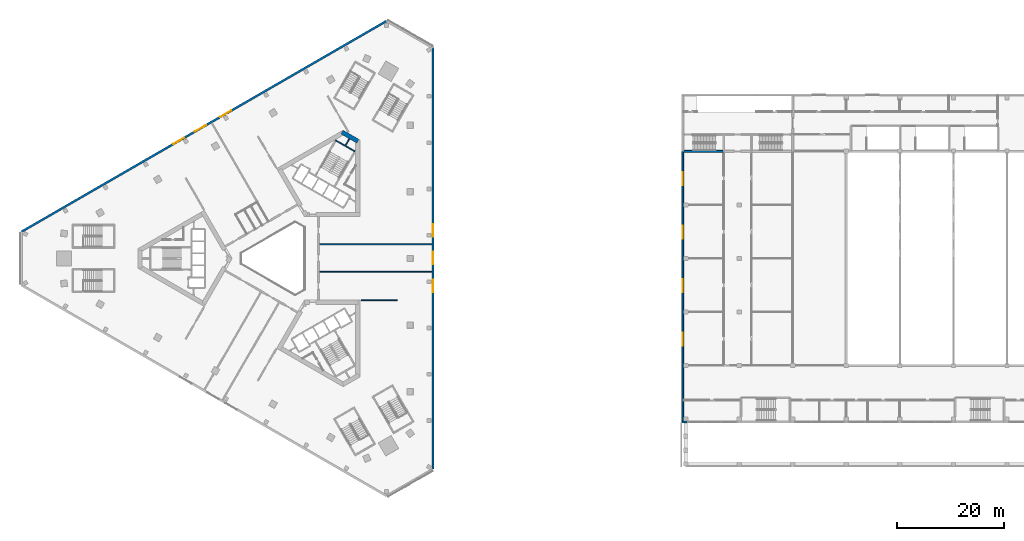
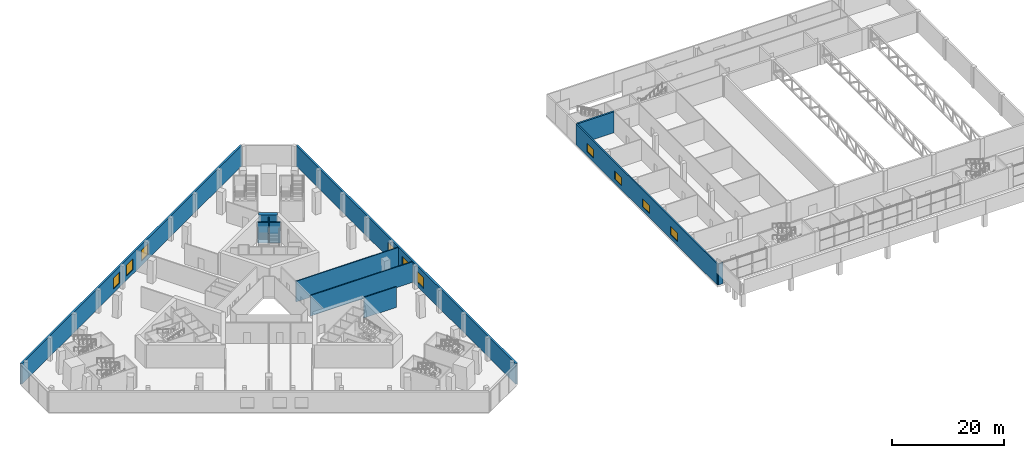
# One storey, part 14 of 36: 11 walls, 10 windows, 10 openings.
"""IFC4 building model written with IfcOpenShell, lengths in metres."""

from ifc_helpers import new_model, si_unit, direction, frame, frame_2d, origin, place, context, subcontext, project, spatial, rectangle, extrude, material, layer, layer_set, type_object, element, fill, save


model = new_model("IFC4")

# Units and contexts
model_context = context("Model", 3, precision=1e-05, world=origin(), true_north=direction((0.0, 1.0)))
body_context = subcontext(model_context, "Body", "Model", "MODEL_VIEW")
ifc_project = project(units=[si_unit("LENGTHUNIT", "METRE"), si_unit("AREAUNIT", "SQUARE_METRE"), si_unit("VOLUMEUNIT", "CUBIC_METRE"), si_unit("PLANEANGLEUNIT", "RADIAN"), si_unit("MASSUNIT", "GRAM", prefix="KILO")], contexts=[model_context])

# Site, building, storey
site_placement = place(None, origin())
site = spatial("IfcSite", under=ifc_project, at=site_placement, CompositionType="ELEMENT")
building_placement = place(site_placement, origin())
building = spatial("IfcBuilding", under=site, at=building_placement, Name="Jabali Bay Hotel Tower and Convention Centre", CompositionType="ELEMENT")
storey_placement = place(building_placement, frame((0.0, 0.0, 20.39990234375)))
storey = spatial("IfcBuildingStorey", under=building, at=storey_placement, Name="L03", CompositionType="ELEMENT", Elevation=20.39990234375)

# Wall
ifc_material_1 = material(Name="Concrete C60", Category="concrete")
ifc_layer_1 = layer(ifc_material_1, 0.35009765625)
ifc_layer_set_1 = layer_set([ifc_layer_1], Name="Concrete C60")
wall_type_1 = type_object("IfcWallType", Name="CC Core Wall 350", PredefinedType="SHEAR", material=ifc_layer_set_1)
wall_1_placement = place(storey_placement, frame((150.300048828125, 100.0, 0.0), z_axis=(0.0, 0.0, 1.0), x_axis=(1.0, 0.0, 0.0)))
element("IfcWall", 1, at=wall_1_placement, inside=storey, type_object=wall_type_1, Name="CC west core wall", PredefinedType="SHEAR", context=body_context, shape_type="SweptSolid", body=[
    extrude(rectangle(XDim=7.52490234375, YDim=0.35009765625, at=frame_2d((3.762451171875, 0.0))), origin(), (0.0, 0.0, 1.0), 4.590087890625),
])

# Wall, openings, windows
ifc_material_2 = material(Name="Concrete C40", Category="concrete")
ifc_layer_2 = layer(ifc_material_2, 0.300048828125)
ifc_layer_set_2 = layer_set([ifc_layer_2], Name="Concrete C40")
wall_type_2 = type_object("IfcWallType", Name="CC External Wall 300", PredefinedType="SOLIDWALL", material=ifc_layer_set_2)
wall_2_placement = place(storey_placement, frame((150.14990234375, 49.449951171875, 0.0), z_axis=(0.0, 0.0, 1.0), x_axis=(0.0, 1.0, 0.0)))
wall_2 = element("IfcWall", 2, at=wall_2_placement, inside=storey, type_object=wall_type_2, Name="CC wall 307", PredefinedType="SOLIDWALL", context=body_context, shape_type="SweptSolid", body=[
    extrude(rectangle(XDim=50.550048828125, YDim=0.300048828125, at=frame_2d((25.27490234375, 0.0))), origin(), (0.0, 0.0, 1.0), 4.590087890625),
])
opening_1_placement = place(wall_2_placement, frame((14.25, 0.0, 0.89990234375)))
opening_1 = element("IfcOpeningElement", 3, at=opening_1_placement, cuts=wall_2, Name="Opening CC-W019", PredefinedType="OPENING", context=body_context, shape_type="SweptSolid", body=[
    extrude(rectangle(XDim=2.39990234375, YDim=1.800048828125, at=frame_2d((1.199951171875, 0.89990234375))), frame((0.0, 0.16064453125, 0.0), z_axis=(0.0, -1.0, 0.0), x_axis=(1.0, 0.0, 0.0)), (0.0, 0.0, 1.0), 0.321044921875),
])
opening_2_placement = place(wall_2_placement, frame((24.25, 0.0, 0.89990234375)))
opening_2 = element("IfcOpeningElement", 4, at=opening_2_placement, cuts=wall_2, Name="Opening CC-W020", PredefinedType="OPENING", context=body_context, shape_type="SweptSolid", body=[
    extrude(rectangle(XDim=2.39990234375, YDim=1.800048828125, at=frame_2d((1.199951171875, 0.89990234375))), frame((0.0, 0.16064453125, 0.0), z_axis=(0.0, -1.0, 0.0), x_axis=(1.0, 0.0, 0.0)), (0.0, 0.0, 1.0), 0.321044921875),
])
opening_3_placement = place(wall_2_placement, frame((34.25, 0.0, 0.89990234375)))
opening_3 = element("IfcOpeningElement", 5, at=opening_3_placement, cuts=wall_2, Name="Opening CC-W021", PredefinedType="OPENING", context=body_context, shape_type="SweptSolid", body=[
    extrude(rectangle(XDim=2.39990234375, YDim=1.800048828125, at=frame_2d((1.199951171875, 0.89990234375))), frame((0.0, 0.16064453125, 0.0), z_axis=(0.0, -1.0, 0.0), x_axis=(1.0, 0.0, 0.0)), (0.0, 0.0, 1.0), 0.321044921875),
])
opening_4_placement = place(wall_2_placement, frame((44.25, 0.0, 0.89990234375)))
opening_4 = element("IfcOpeningElement", 6, at=opening_4_placement, cuts=wall_2, Name="Opening CC-W022", PredefinedType="OPENING", context=body_context, shape_type="SweptSolid", body=[
    extrude(rectangle(XDim=2.39990234375, YDim=1.800048828125, at=frame_2d((1.199951171875, 0.89990234375))), frame((0.0, 0.16064453125, 0.0), z_axis=(0.0, -1.0, 0.0), x_axis=(1.0, 0.0, 0.0)), (0.0, 0.0, 1.0), 0.321044921875),
])
ifc_material_3 = material(Name="Aluminium 6063-T5 and glass", Category="aluminium")
window_type_1 = type_object("IfcWindowType", Name="CC Window 2400x1800", PartitioningType="DOUBLE_PANEL_VERTICAL", PredefinedType="WINDOW", material=ifc_material_3)
window_1_placement = place(opening_1_placement, origin())
window_1 = element("IfcWindow", 7, at=window_1_placement, inside=storey, type_object=window_type_1, Name="CC window CC-W019", OverallHeight=1.800048828125, OverallWidth=2.39990234375, PartitioningType="DOUBLE_PANEL_VERTICAL", PredefinedType="WINDOW", context=body_context, shape_type="SweptSolid", body=[
    extrude(rectangle(XDim=2.39990234375, YDim=1.800048828125, at=frame_2d((1.199951171875, 0.89990234375))), frame((0.0, 0.030029296875, 0.0), z_axis=(0.0, -1.0, 0.0), x_axis=(1.0, 0.0, 0.0)), (0.0, 0.0, 1.0), 0.06005859375),
])
fill(opening_1, window_1)
window_2_placement = place(opening_2_placement, origin())
window_2 = element("IfcWindow", 8, at=window_2_placement, inside=storey, type_object=window_type_1, Name="CC window CC-W020", OverallHeight=1.800048828125, OverallWidth=2.39990234375, PartitioningType="DOUBLE_PANEL_VERTICAL", PredefinedType="WINDOW", context=body_context, shape_type="SweptSolid", body=[
    extrude(rectangle(XDim=2.39990234375, YDim=1.800048828125, at=frame_2d((1.199951171875, 0.89990234375))), frame((0.0, 0.030029296875, 0.0), z_axis=(0.0, -1.0, 0.0), x_axis=(1.0, 0.0, 0.0)), (0.0, 0.0, 1.0), 0.06005859375),
])
fill(opening_2, window_2)
window_3_placement = place(opening_3_placement, origin())
window_3 = element("IfcWindow", 9, at=window_3_placement, inside=storey, type_object=window_type_1, Name="CC window CC-W021", OverallHeight=1.800048828125, OverallWidth=2.39990234375, PartitioningType="DOUBLE_PANEL_VERTICAL", PredefinedType="WINDOW", context=body_context, shape_type="SweptSolid", body=[
    extrude(rectangle(XDim=2.39990234375, YDim=1.800048828125, at=frame_2d((1.199951171875, 0.89990234375))), frame((0.0, 0.030029296875, 0.0), z_axis=(0.0, -1.0, 0.0), x_axis=(1.0, 0.0, 0.0)), (0.0, 0.0, 1.0), 0.06005859375),
])
fill(opening_3, window_3)
window_4_placement = place(opening_4_placement, origin())
window_4 = element("IfcWindow", 10, at=window_4_placement, inside=storey, type_object=window_type_1, Name="CC window CC-W022", OverallHeight=1.800048828125, OverallWidth=2.39990234375, PartitioningType="DOUBLE_PANEL_VERTICAL", PredefinedType="WINDOW", context=body_context, shape_type="SweptSolid", body=[
    extrude(rectangle(XDim=2.39990234375, YDim=1.800048828125, at=frame_2d((1.199951171875, 0.89990234375))), frame((0.0, 0.030029296875, 0.0), z_axis=(0.0, -1.0, 0.0), x_axis=(1.0, 0.0, 0.0)), (0.0, 0.0, 1.0), 0.06005859375),
])
fill(opening_4, window_4)

# Walls
wall_3_placement = place(storey_placement, frame((150.14990234375, 49.449951171875, 0.0), z_axis=(0.0, 0.0, 1.0), x_axis=(1.0, 0.0, 0.0)))
element("IfcWall", 11, at=wall_3_placement, inside=storey, type_object=wall_type_2, Name="CC wall 310", PredefinedType="SOLIDWALL", context=body_context, shape_type="SweptSolid", body=[
    extrude(rectangle(XDim=0.9501953125, YDim=0.300048828125, at=frame_2d((0.47509765625, 0.0))), origin(), (0.0, 0.0, 1.0), 4.590087890625),
])
ifc_layer_3 = layer(ifc_material_2, 0.199951171875)
ifc_layer_set_3 = layer_set([ifc_layer_3], Name="Concrete C40")
wall_type_3 = type_object("IfcWallType", Name="Core partition wall 200", PredefinedType="PARTITIONING", material=ifc_layer_set_3)
wall_4_placement = place(storey_placement, frame((87.090087890625, 100.9404296875, 0.0), z_axis=(0.0, 0.0, 1.0), x_axis=(0.499956811548, 0.866050337213, 0.0)))
element("IfcWall", 12, at=wall_4_placement, inside=storey, type_object=wall_type_3, Name="Core wall 1.5 L03", PredefinedType="PARTITIONING", context=body_context, shape_type="SweptSolid", body=[
    extrude(rectangle(XDim=1.623291015625, YDim=0.199951171875, at=frame_2d((0.8115234375, 0.0))), origin(), (0.0, 0.0, 1.0), 4.5),
])
ifc_layer_4 = layer(ifc_material_2, 0.199951171875)
ifc_layer_set_4 = layer_set([ifc_layer_4], Name="Concrete C40")
wall_type_4 = type_object("IfcWallType", Name="Core stair wall 200", PredefinedType="SOLIDWALL", material=ifc_layer_set_4)
wall_5_placement = place(storey_placement, frame((88.93701171875, 99.989501953125, 0.0), z_axis=(0.0, 0.0, 1.0), x_axis=(-0.866004344652, 0.500036473714, 0.0)))
element("IfcWall", 13, at=wall_5_placement, inside=storey, type_object=wall_type_4, Name="Core wall 1.16 L03", PredefinedType="SOLIDWALL", context=body_context, shape_type="SweptSolid", body=[
    extrude(rectangle(XDim=4.150146484375, YDim=0.199951171875, at=frame_2d((2.0751953125, 0.0))), origin(), (0.0, 0.0, 1.0), 4.5),
])
ifc_layer_5 = layer(ifc_material_1, 0.800048828125)
ifc_layer_set_5 = layer_set([ifc_layer_5], Name="Concrete C60")
wall_type_5 = type_object("IfcWallType", Name="Core wall 800", PredefinedType="SHEAR", material=ifc_layer_set_5)
wall_6_placement = place(storey_placement, frame((89.47998046875, 101.896728515625, 0.0), z_axis=(0.0, 0.0, 1.0), x_axis=(-0.866034355626, 0.499984494636, 0.0)))
element("IfcWall", 14, at=wall_6_placement, inside=storey, type_object=wall_type_5, Name="Core wall 2.3 L03", PredefinedType="SHEAR", context=body_context, shape_type="SweptSolid", body=[
    extrude(rectangle(XDim=3.4140625, YDim=0.800048828125, at=frame_2d((1.70703125, 0.0))), origin(), (0.0, 0.0, 1.0), 5.0),
])
ifc_material_4 = material(Name="Plasterboard on steel stud", Category="steel")
ifc_layer_6 = layer(ifc_material_4, 0.199951171875)
ifc_layer_set_6 = layer_set([ifc_layer_6], Name="Plasterboard on steel stud")
wall_type_6 = type_object("IfcWallType", Name="Partition 200 party", PredefinedType="PARTITIONING", material=ifc_layer_set_6)
wall_7_placement = place(storey_placement, frame((103.301025390625, 77.505859375, 0.0), z_axis=(0.0, 0.0, 1.0), x_axis=(-1.0, 0.0, 0.0)))
element("IfcWall", 15, at=wall_7_placement, inside=storey, type_object=wall_type_6, Name="Partition P01 L03 001", PredefinedType="PARTITIONING", context=body_context, shape_type="SweptSolid", body=[
    extrude(rectangle(XDim=21.200927734375, YDim=0.199951171875, at=frame_2d((10.6005859375, 0.0))), origin(), (0.0, 0.0, 1.0), 4.5),
])
wall_8_placement = place(storey_placement, frame((90.0791015625, 72.205810546875, 0.0), z_axis=(0.0, 0.0, 1.0), x_axis=(1.0, 0.0, 0.0)))
element("IfcWall", 16, at=wall_8_placement, inside=storey, type_object=wall_type_6, Name="Partition P01 L03 002", PredefinedType="PARTITIONING", context=body_context, shape_type="SweptSolid", body=[
    extrude(rectangle(XDim=6.7646484375, YDim=0.199951171875, at=frame_2d((3.38232421875, 0.0))), origin(), (0.0, 0.0, 1.0), 4.5),
])
wall_9_placement = place(storey_placement, frame((103.301025390625, 82.650146484375, 0.0), z_axis=(0.0, 0.0, 1.0), x_axis=(-1.0, 0.0, 0.0)))
element("IfcWall", 17, at=wall_9_placement, inside=storey, type_object=wall_type_6, Name="Partition P01 L03 003", PredefinedType="PARTITIONING", context=body_context, shape_type="SweptSolid", body=[
    extrude(rectangle(XDim=21.200927734375, YDim=0.199951171875, at=frame_2d((10.6005859375, 0.0))), origin(), (0.0, 0.0, 1.0), 4.5),
])

# Wall, openings, windows
ifc_layer_7 = layer(ifc_material_2, 0.39990234375)
ifc_layer_set_7 = layer_set([ifc_layer_7], Name="Concrete C40")
wall_type_7 = type_object("IfcWallType", Name="Podium external wall 400", PredefinedType="SOLIDWALL", material=ifc_layer_set_7)
wall_10_placement = place(storey_placement, frame((103.5, 119.363525390625, 0.0), z_axis=(0.0, 0.0, 1.0), x_axis=(0.0, -1.0, 0.0)))
wall_10 = element("IfcWall", 18, at=wall_10_placement, inside=storey, type_object=wall_type_7, Name="External wall east face L03", PredefinedType="SOLIDWALL", context=body_context, shape_type="SweptSolid", body=[
    extrude(rectangle(XDim=78.72705078125, YDim=0.39990234375, at=frame_2d((39.363525390625, 0.0))), origin(), (0.0, 0.0, 1.0), 4.5),
])
opening_5_placement = place(wall_10_placement, frame((43.3076171875, 0.0, 0.89990234375)))
opening_5 = element("IfcOpeningElement", 19, at=opening_5_placement, cuts=wall_10, Name="Opening W3", PredefinedType="OPENING", context=body_context, shape_type="SweptSolid", body=[
    extrude(rectangle(XDim=2.39990234375, YDim=2.39990234375, at=frame_2d((1.199951171875, 1.199951171875))), frame((0.0, 0.21044921875, 0.0), z_axis=(0.0, -1.0, 0.0), x_axis=(1.0, 0.0, 0.0)), (0.0, 0.0, 1.0), 0.4208984375),
])
opening_6_placement = place(wall_10_placement, frame((38.08544921875, 0.0, 0.89990234375)))
opening_6 = element("IfcOpeningElement", 20, at=opening_6_placement, cuts=wall_10, Name="Opening W3", PredefinedType="OPENING", context=body_context, shape_type="SweptSolid", body=[
    extrude(rectangle(XDim=2.39990234375, YDim=2.39990234375, at=frame_2d((1.199951171875, 1.199951171875))), frame((0.0, 0.21044921875, 0.0), z_axis=(0.0, -1.0, 0.0), x_axis=(1.0, 0.0, 0.0)), (0.0, 0.0, 1.0), 0.4208984375),
])
opening_7_placement = place(wall_10_placement, frame((32.94140625, 0.0, 0.89990234375)))
opening_7 = element("IfcOpeningElement", 21, at=opening_7_placement, cuts=wall_10, Name="Opening W3", PredefinedType="OPENING", context=body_context, shape_type="SweptSolid", body=[
    extrude(rectangle(XDim=2.39990234375, YDim=2.39990234375, at=frame_2d((1.199951171875, 1.199951171875))), frame((0.0, 0.21044921875, 0.0), z_axis=(0.0, -1.0, 0.0), x_axis=(1.0, 0.0, 0.0)), (0.0, 0.0, 1.0), 0.4208984375),
])
ifc_material_5 = material(Name="Glass", Category="glass")
window_type_2 = type_object("IfcWindowType", Name="Podium window 2400 x 2400", PartitioningType="SINGLE_PANEL", PredefinedType="WINDOW", material=ifc_material_5)
window_5_placement = place(opening_5_placement, origin())
window_5 = element("IfcWindow", 22, at=window_5_placement, inside=storey, type_object=window_type_2, Name="Window", OverallHeight=2.39990234375, OverallWidth=2.39990234375, PartitioningType="SINGLE_PANEL", PredefinedType="WINDOW", context=body_context, shape_type="SweptSolid", body=[
    extrude(rectangle(XDim=2.39990234375, YDim=2.39990234375, at=frame_2d((1.199951171875, 1.199951171875))), frame((0.0, 0.030029296875, 0.0), z_axis=(0.0, -1.0, 0.0), x_axis=(1.0, 0.0, 0.0)), (0.0, 0.0, 1.0), 0.06005859375),
])
fill(opening_5, window_5)
window_6_placement = place(opening_6_placement, origin())
window_6 = element("IfcWindow", 23, at=window_6_placement, inside=storey, type_object=window_type_2, Name="Window", OverallHeight=2.39990234375, OverallWidth=2.39990234375, PartitioningType="SINGLE_PANEL", PredefinedType="WINDOW", context=body_context, shape_type="SweptSolid", body=[
    extrude(rectangle(XDim=2.39990234375, YDim=2.39990234375, at=frame_2d((1.199951171875, 1.199951171875))), frame((0.0, 0.030029296875, 0.0), z_axis=(0.0, -1.0, 0.0), x_axis=(1.0, 0.0, 0.0)), (0.0, 0.0, 1.0), 0.06005859375),
])
fill(opening_6, window_6)
window_7_placement = place(opening_7_placement, origin())
window_7 = element("IfcWindow", 24, at=window_7_placement, inside=storey, type_object=window_type_2, Name="Window", OverallHeight=2.39990234375, OverallWidth=2.39990234375, PartitioningType="SINGLE_PANEL", PredefinedType="WINDOW", context=body_context, shape_type="SweptSolid", body=[
    extrude(rectangle(XDim=2.39990234375, YDim=2.39990234375, at=frame_2d((1.199951171875, 1.199951171875))), frame((0.0, 0.030029296875, 0.0), z_axis=(0.0, -1.0, 0.0), x_axis=(1.0, 0.0, 0.0)), (0.0, 0.0, 1.0), 0.06005859375),
])
fill(opening_7, window_7)

wall_11_placement = place(storey_placement, frame((26.66015625, 85.0, 0.0), z_axis=(0.0, 0.0, 1.0), x_axis=(0.866025599265, 0.499999661418, 0.0)))
wall_11 = element("IfcWall", 25, at=wall_11_placement, inside=storey, type_object=wall_type_7, Name="External wall north-west face L03", PredefinedType="SOLIDWALL", context=body_context, shape_type="SweptSolid", body=[
    extrude(rectangle(XDim=78.72705078125, YDim=0.39990234375, at=frame_2d((39.363525390625, 0.0))), origin(), (0.0, 0.0, 1.0), 4.5),
])
opening_8_placement = place(wall_11_placement, frame((42.840087890625, 0.0, 0.89990234375)))
opening_8 = element("IfcOpeningElement", 26, at=opening_8_placement, cuts=wall_11, Name="Opening W3", PredefinedType="OPENING", context=body_context, shape_type="SweptSolid", body=[
    extrude(rectangle(XDim=2.39990234375, YDim=2.39990234375, at=frame_2d((1.199951171875, 1.199951171875))), frame((0.0, 0.21044921875, 0.0), z_axis=(0.0, -1.0, 0.0), x_axis=(1.0, 0.0, 0.0)), (0.0, 0.0, 1.0), 0.4208984375),
])
opening_9_placement = place(wall_11_placement, frame((37.384765625, 0.0, 0.89990234375)))
opening_9 = element("IfcOpeningElement", 27, at=opening_9_placement, cuts=wall_11, Name="Opening W3", PredefinedType="OPENING", context=body_context, shape_type="SweptSolid", body=[
    extrude(rectangle(XDim=2.39990234375, YDim=2.39990234375, at=frame_2d((1.199951171875, 1.199951171875))), frame((0.0, 0.21044921875, 0.0), z_axis=(0.0, -1.0, 0.0), x_axis=(1.0, 0.0, 0.0)), (0.0, 0.0, 1.0), 0.4208984375),
])
opening_10_placement = place(wall_11_placement, frame((32.707763671875, 0.0, 0.89990234375)))
opening_10 = element("IfcOpeningElement", 28, at=opening_10_placement, cuts=wall_11, Name="Opening W3", PredefinedType="OPENING", context=body_context, shape_type="SweptSolid", body=[
    extrude(rectangle(XDim=2.39990234375, YDim=2.39990234375, at=frame_2d((1.199951171875, 1.199951171875))), frame((0.0, 0.21044921875, 0.0), z_axis=(0.0, -1.0, 0.0), x_axis=(1.0, 0.0, 0.0)), (0.0, 0.0, 1.0), 0.4208984375),
])
window_8_placement = place(opening_8_placement, origin())
window_8 = element("IfcWindow", 29, at=window_8_placement, inside=storey, type_object=window_type_2, Name="Window", OverallHeight=2.39990234375, OverallWidth=2.39990234375, PartitioningType="SINGLE_PANEL", PredefinedType="WINDOW", context=body_context, shape_type="SweptSolid", body=[
    extrude(rectangle(XDim=2.39990234375, YDim=2.39990234375, at=frame_2d((1.199951171875, 1.199951171875))), frame((0.0, 0.030029296875, 0.0), z_axis=(0.0, -1.0, 0.0), x_axis=(1.0, 0.0, 0.0)), (0.0, 0.0, 1.0), 0.06005859375),
])
fill(opening_8, window_8)
window_9_placement = place(opening_9_placement, origin())
window_9 = element("IfcWindow", 30, at=window_9_placement, inside=storey, type_object=window_type_2, Name="Window", OverallHeight=2.39990234375, OverallWidth=2.39990234375, PartitioningType="SINGLE_PANEL", PredefinedType="WINDOW", context=body_context, shape_type="SweptSolid", body=[
    extrude(rectangle(XDim=2.39990234375, YDim=2.39990234375, at=frame_2d((1.199951171875, 1.199951171875))), frame((0.0, 0.030029296875, 0.0), z_axis=(0.0, -1.0, 0.0), x_axis=(1.0, 0.0, 0.0)), (0.0, 0.0, 1.0), 0.06005859375),
])
fill(opening_9, window_9)
window_10_placement = place(opening_10_placement, origin())
window_10 = element("IfcWindow", 31, at=window_10_placement, inside=storey, type_object=window_type_2, Name="Window", OverallHeight=2.39990234375, OverallWidth=2.39990234375, PartitioningType="SINGLE_PANEL", PredefinedType="WINDOW", context=body_context, shape_type="SweptSolid", body=[
    extrude(rectangle(XDim=2.39990234375, YDim=2.39990234375, at=frame_2d((1.199951171875, 1.199951171875))), frame((0.0, 0.030029296875, 0.0), z_axis=(0.0, -1.0, 0.0), x_axis=(1.0, 0.0, 0.0)), (0.0, 0.0, 1.0), 0.06005859375),
])
fill(opening_10, window_10)

save(model, "model.ifc")
